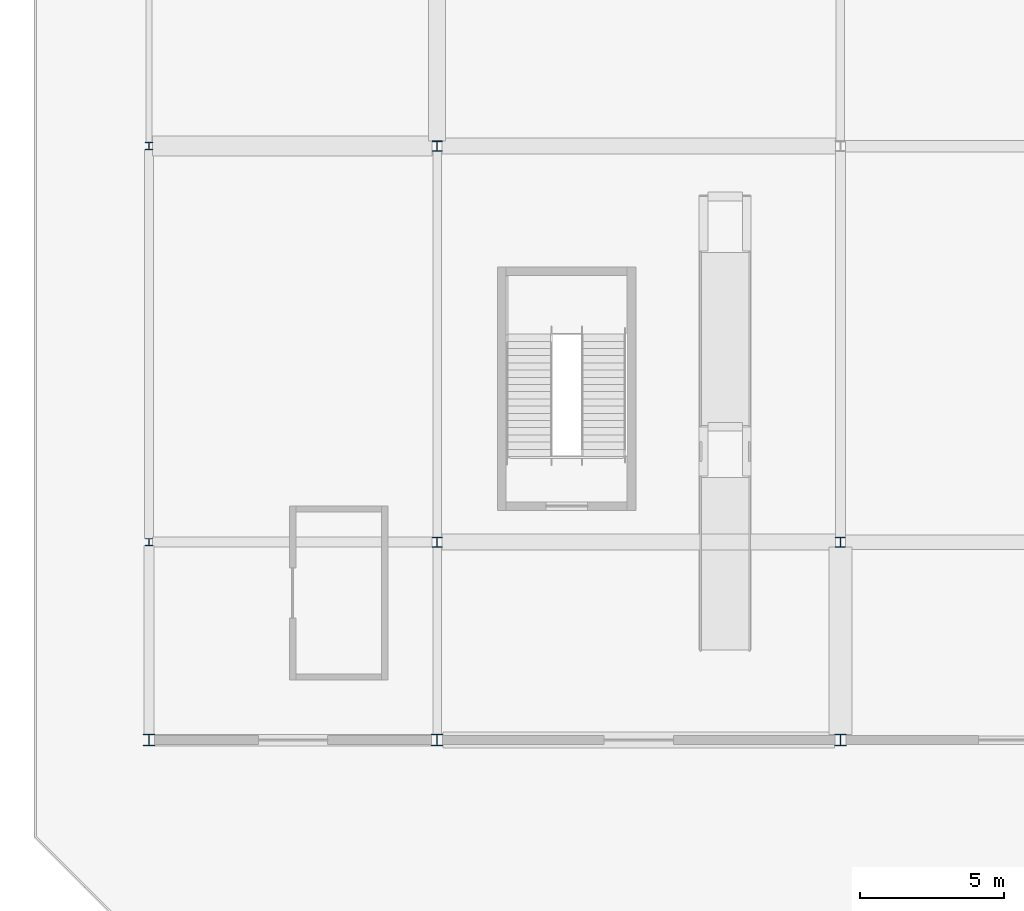
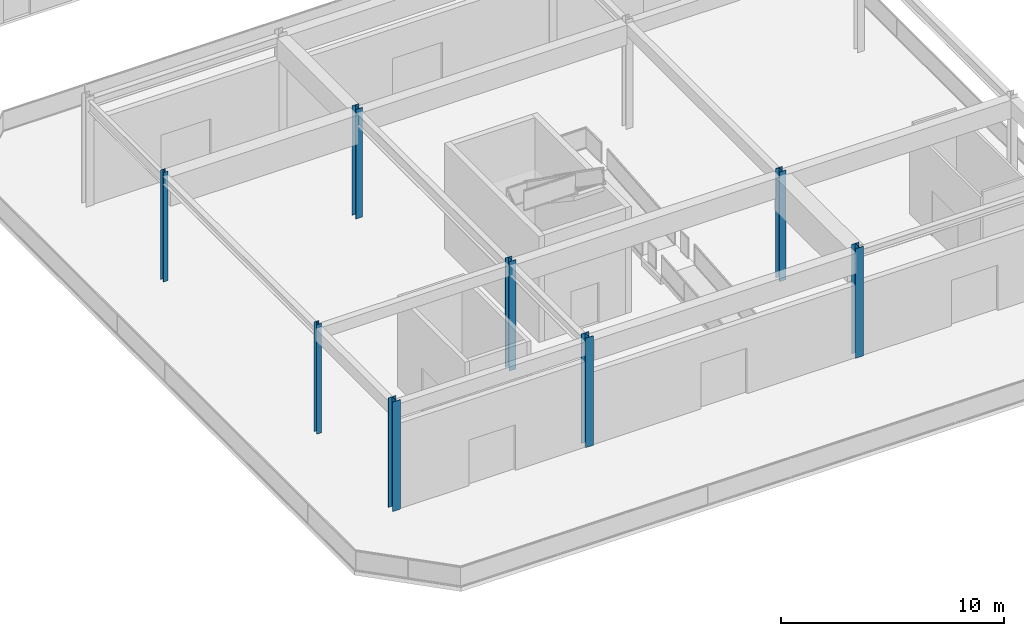
# One storey, part 1 of 73: 8 columns.
"""IFC4 building model written with IfcOpenShell, lengths in metres."""

import ifcopenshell
import ifcopenshell.guid

model = None  # the IFC model being written
_history = None  # IfcOwnerHistory: only IFC2X3 demands one
_inside = {}  # id of a spatial element -> (the spatial element, [elements in it])
_under = {}  # id of a project, library or spatial element -> (it, [spatial elements below it])
_declared = {}  # id of a project -> (the project, [libraries it declares])
_typed = {}  # id of a type object -> (the type object, [elements of that type])
_made_of = {}  # id of a material, layer set ... -> (it, [elements and type objects made of it])


def new_model(schema):
    """Start an empty IFC model of exactly this schema.

    Asked for "IFC4X3", IfcOpenShell would pick the latest addendum, in which some entities
    have other attributes; the version numbers below select the first issue.
    IFC2X3 requires an IfcOwnerHistory on every rooted entity: one is made here for all.
    """
    global model, _history
    if schema == "IFC4X3":
        model = ifcopenshell.file(schema_version=(4, 3, 0, 0))
    else:
        model = ifcopenshell.file(schema=schema)
    _inside.clear()
    _under.clear()
    _declared.clear()
    _typed.clear()
    _made_of.clear()
    _history = None
    if model.schema == "IFC2X3":
        org = make("IfcOrganization", Name="unknown")
        user = make(
            "IfcPersonAndOrganization",
            ThePerson=make("IfcPerson", FamilyName="unknown"),
            TheOrganization=org,
        )
        app = make(
            "IfcApplication",
            ApplicationDeveloper=org,
            Version="unknown",
            ApplicationFullName="unknown",
            ApplicationIdentifier="unknown",
        )
        _history = make(
            "IfcOwnerHistory",
            OwningUser=user,
            OwningApplication=app,
            ChangeAction="ADDED",
            CreationDate=0,
        )
    return model


def make(cls, **values):
    """One entity of the class cls with the attributes given. An attribute that is None is left unset."""
    return model.create_entity(
        cls, **{name: value for name, value in values.items() if value is not None}
    )


def rooted(cls, **values):
    """An entity with a GlobalId (a new one), such as an element, a storey or a relation."""
    return make(cls, GlobalId=ifcopenshell.guid.new(), OwnerHistory=_history, **values)


def si_unit(unit_type, name, prefix=None):
    """IfcSIUnit, for example si_unit("LENGTHUNIT", "METRE", prefix="MILLI")."""
    return make("IfcSIUnit", UnitType=unit_type, Prefix=prefix, Name=name)


def assignment(units):
    """IfcUnitAssignment: the units of a project."""
    return None if units is None else make("IfcUnitAssignment", Units=units)


def point(xyz):
    """IfcCartesianPoint."""
    return None if xyz is None else make("IfcCartesianPoint", Coordinates=xyz)


def direction(xyz):
    """IfcDirection."""
    return None if xyz is None else make("IfcDirection", DirectionRatios=xyz)


def frame(location, z_axis=None, x_axis=None):
    """IfcAxis2Placement3D, a coordinate frame: its origin and axes. An axis left out is left unset."""
    return make(
        "IfcAxis2Placement3D",
        Location=point(location),
        Axis=direction(z_axis),
        RefDirection=direction(x_axis),
    )


def frame_2d(location, x_axis=None):
    """IfcAxis2Placement2D, a coordinate frame in the plane: its origin and x axis."""
    return make(
        "IfcAxis2Placement2D", Location=point(location), RefDirection=direction(x_axis)
    )


def origin():
    """The frame at (0, 0, 0) with its axes left unset."""
    return frame((0.0, 0.0, 0.0))


def origin_2d():
    """The frame at (0, 0) in the plane with its x axis left unset."""
    return frame_2d((0.0, 0.0))


def place(relative_to, where):
    """IfcLocalPlacement: puts the frame where relative to a parent placement (None: the world)."""
    return make(
        "IfcLocalPlacement", PlacementRelTo=relative_to, RelativePlacement=where
    )


def context(
    kind, dimensions, precision=None, world=None, true_north=None, identifier=None
):
    """IfcGeometricRepresentationContext, for example the 3D "Model" context."""
    return make(
        "IfcGeometricRepresentationContext",
        ContextIdentifier=identifier,
        ContextType=kind,
        CoordinateSpaceDimension=dimensions,
        Precision=precision,
        WorldCoordinateSystem=world,
        TrueNorth=true_north,
    )


def subcontext(parent, identifier, kind, view, scale=None):
    """IfcGeometricRepresentationSubContext, for example "Body" below "Model"."""
    return make(
        "IfcGeometricRepresentationSubContext",
        ContextIdentifier=identifier,
        ContextType=kind,
        ParentContext=parent,
        TargetScale=scale,
        TargetView=view,
    )


def project(units=None, contexts=None):
    """IfcProject with its units and contexts."""
    return rooted(
        "IfcProject",
        Name="project",
        RepresentationContexts=contexts,
        UnitsInContext=assignment(units),
    )


def spatial(cls, under=None, at=None, **own):
    """A site, building, storey or space (cls), placed at a placement, below another one or the project."""
    s = rooted(cls, ObjectPlacement=at, **own)
    if under is not None:
        _under.setdefault(under.id(), (under, []))[1].append(s)
    return s


def profile(cls, at=None, kind="AREA", **sizes):
    """A parametric profile (cls). Its sizes go by their IFC names, for example OverallWidth=200.0."""
    return make(cls, ProfileType=kind, Position=at, **sizes)


def i_section(**sizes):
    """IfcIShapeProfileDef."""
    return profile("IfcIShapeProfileDef", **sizes)


def extrude(swept, where, along, depth):
    """IfcExtrudedAreaSolid: the profile swept, set in the frame where, extruded along a direction by depth."""
    return make(
        "IfcExtrudedAreaSolid",
        SweptArea=swept,
        Position=where,
        ExtrudedDirection=direction(along),
        Depth=depth,
    )


def shape(context_of_items, identifier, shape_type, items):
    """IfcShapeRepresentation: the items that make up one representation, for example the "Body"."""
    return make(
        "IfcShapeRepresentation",
        ContextOfItems=context_of_items,
        RepresentationIdentifier=identifier,
        RepresentationType=shape_type,
        Items=items,
    )


def material(Name=None, Category=None):
    """IfcMaterial."""
    return make("IfcMaterial", Name=Name, Category=Category)


def material_profile(
    of_material, cross_section, Name=None, Category=None, Priority=None
):
    """IfcMaterialProfile: a cross section and its material."""
    return make(
        "IfcMaterialProfile",
        Name=Name,
        Material=of_material,
        Profile=cross_section,
        Priority=Priority,
        Category=Category,
    )


def profile_set(profiles, Name=None, composite=None):
    """IfcMaterialProfileSet."""
    return make(
        "IfcMaterialProfileSet",
        Name=Name,
        MaterialProfiles=profiles,
        CompositeProfile=composite,
    )


def made_of(thing, what):
    """Note that an element or type object is made of a material, layer set ...; save() writes the relation."""
    if what is not None:
        _made_of.setdefault(what.id(), (what, []))[1].append(thing)
    return thing


def type_object(cls, material=None, **own):
    """A type object (cls), such as IfcWallType, which elements share."""
    return made_of(rooted(cls, **own), material)


def element(
    cls,
    number,
    at=None,
    inside=None,
    cuts=None,
    type_object=None,
    material=None,
    context=None,
    identifier="Body",
    shape_type=None,
    held_by="IfcProductDefinitionShape",
    body=None,
    shapes=None,
    **own,
):
    """One element of the class cls, such as IfcWall. Its Tag is "e" and its number.

    at: its placement. inside: the storey or other place that contains it. cuts: it is an
    opening in that element (IfcRelVoidsElement). A single representation is given by context,
    identifier, shape_type and body (its items); several are given by shapes. held_by: the class
    of the entity that holds the representations. save() writes the other relations.
    """
    e = rooted(cls, Tag="e%d" % number, ObjectPlacement=at, **own)
    if body is not None:
        shapes = [shape(context, identifier, shape_type, body)]
    if shapes is not None:
        e.Representation = make(held_by, Representations=shapes)
    if inside is not None:
        _inside.setdefault(inside.id(), (inside, []))[1].append(e)
    if cuts is not None:
        rooted(
            "IfcRelVoidsElement", RelatingBuildingElement=cuts, RelatedOpeningElement=e
        )
    if type_object is not None:
        _typed.setdefault(type_object.id(), (type_object, []))[1].append(e)
    return made_of(e, material)


def aggregate(whole, parts):
    """IfcRelAggregates: a whole, such as a stair, and the parts it consists of."""
    return rooted("IfcRelAggregates", RelatingObject=whole, RelatedObjects=parts)


def save(model, path):
    """Write the relations noted so far, then the file.

    IfcRelAggregates (storeys below a building ...), IfcRelContainedInSpatialStructure (elements
    in a storey), IfcRelDefinesByType, IfcRelAssociatesMaterial and IfcRelDeclares: one each for
    every whole, place, type object, material and project.
    """
    for whole, parts in _under.values():
        aggregate(whole, parts)
    for where, things in _inside.values():
        rooted(
            "IfcRelContainedInSpatialStructure",
            RelatedElements=things,
            RelatingStructure=where,
        )
    for kind, things in _typed.values():
        rooted("IfcRelDefinesByType", RelatedObjects=things, RelatingType=kind)
    for what, things in _made_of.values():
        rooted("IfcRelAssociatesMaterial", RelatedObjects=things, RelatingMaterial=what)
    for by, libraries in _declared.values():
        rooted("IfcRelDeclares", RelatingContext=by, RelatedDefinitions=libraries)
    model.write(path)


model = new_model("IFC4")

# Units and contexts
model_context = context("Model", 3, precision=1e-05, world=origin(), true_north=direction((0.0, 1.0)))
body_context = subcontext(model_context, "Body", "Model", "MODEL_VIEW")
ifc_project = project(units=[si_unit("LENGTHUNIT", "METRE"), si_unit("AREAUNIT", "SQUARE_METRE"), si_unit("VOLUMEUNIT", "CUBIC_METRE"), si_unit("PLANEANGLEUNIT", "RADIAN"), si_unit("MASSUNIT", "GRAM", prefix="KILO")], contexts=[model_context])

# Site, building, storey
site_placement = place(None, origin())
site = spatial("IfcSite", under=ifc_project, at=site_placement, CompositionType="ELEMENT")
building_placement = place(site_placement, origin())
building = spatial("IfcBuilding", under=site, at=building_placement, Name="Linyun Crest Stadium", CompositionType="ELEMENT")
storey_placement = place(building_placement, origin())
storey = spatial("IfcBuildingStorey", under=building, at=storey_placement, Name="L01", CompositionType="ELEMENT", Elevation=0.0)

# Columns
ifc_material_1 = material(Name="Steel Q355C", Category="steel")
ifc_material_profile_1 = material_profile(ifc_material_1, i_section(OverallWidth=0.35009765625, OverallDepth=0.35009765625, WebThickness=0.011962890625, FlangeThickness=0.01904296875, at=origin_2d()), Name="HW 350x350")
ifc_profile_set_1 = profile_set([ifc_material_profile_1], Name="Steel Q355C")
column_type_1 = type_object("IfcColumnType", Name="SC01", PredefinedType="COLUMN", material=ifc_profile_set_1)
for number, where, z_axis, x_axis, name in (
    (1, (-84.0, -87.25, 0.0), (0.0, 0.0, 1.0), (1.0, 0.0, 0.0), "Column SC01 L01 866"),
    (2, (-84.0, -73.5, 0.0), (0.0, 0.0, 1.0), (1.0, 0.0, 0.0), "Column SC01 L01 869"),
    (3, (-70.0, -87.25, 0.0), (0.0, 0.0, 1.0), (1.0, 0.0, 0.0), "Column SC01 L01 878"),
):
    element("IfcColumn", number, at=place(storey_placement, frame(where, z_axis=z_axis, x_axis=x_axis)), inside=storey, type_object=column_type_1, Name=name, PredefinedType="COLUMN", context=body_context, shape_type="SweptSolid", body=[
        extrude(i_section(OverallWidth=0.35009765625, OverallDepth=0.35009765625, WebThickness=0.011962890625, FlangeThickness=0.01904296875, at=origin_2d()), origin(), (0.0, 0.0, 1.0), 5.998046875),
    ])
ifc_material_2 = material(Name="Steel Q355C", Category="steel")
ifc_material_profile_2 = material_profile(ifc_material_2, i_section(OverallWidth=0.39990234375, OverallDepth=0.39990234375, WebThickness=0.012939453125, FlangeThickness=0.02099609375, at=origin_2d()), Name="HW 400x400")
ifc_profile_set_2 = profile_set([ifc_material_profile_2], Name="Steel Q355C")
column_type_2 = type_object("IfcColumnType", Name="SC02", PredefinedType="COLUMN", material=ifc_profile_set_2)
for number, where, z_axis, x_axis, name in (
    (4, (-94.0, -94.125, 0.0), (0.0, 0.0, 1.0), (1.0, 0.0, 0.0), "Column SC02 L01 851"),
    (5, (-84.0, -94.125, 0.0), (0.0, 0.0, 1.0), (1.0, 0.0, 0.0), "Column SC02 L01 863"),
    (6, (-70.0, -94.125, 0.0), (0.0, 0.0, 1.0), (1.0, 0.0, 0.0), "Column SC02 L01 875"),
):
    element("IfcColumn", number, at=place(storey_placement, frame(where, z_axis=z_axis, x_axis=x_axis)), inside=storey, type_object=column_type_2, Name=name, PredefinedType="COLUMN", context=body_context, shape_type="SweptSolid", body=[
        extrude(i_section(OverallWidth=0.39990234375, OverallDepth=0.39990234375, WebThickness=0.012939453125, FlangeThickness=0.02099609375, at=origin_2d()), origin(), (0.0, 0.0, 1.0), 5.998046875),
    ])
ifc_material_3 = material(Name="Steel Q355C", Category="steel")
ifc_material_profile_3 = material_profile(ifc_material_3, i_section(OverallWidth=0.25, OverallDepth=0.25, WebThickness=0.009033203125, FlangeThickness=0.013916015625, at=origin_2d()), Name="HW 250x250")
ifc_profile_set_3 = profile_set([ifc_material_profile_3], Name="Steel Q355C")
column_type_3 = type_object("IfcColumnType", Name="SC07", PredefinedType="COLUMN", material=ifc_profile_set_3)
for number, where, z_axis, x_axis, name in (
    (7, (-94.0, -87.25, 0.0), (0.0, 0.0, 1.0), (1.0, 0.0, 0.0), "Column SC07 L01 854"),
    (8, (-94.0, -73.5, 0.0), (0.0, 0.0, 1.0), (1.0, 0.0, 0.0), "Column SC07 L01 857"),
):
    element("IfcColumn", number, at=place(storey_placement, frame(where, z_axis=z_axis, x_axis=x_axis)), inside=storey, type_object=column_type_3, Name=name, PredefinedType="COLUMN", context=body_context, shape_type="SweptSolid", body=[
        extrude(i_section(OverallWidth=0.25, OverallDepth=0.25, WebThickness=0.009033203125, FlangeThickness=0.013916015625, at=origin_2d()), origin(), (0.0, 0.0, 1.0), 5.998046875),
    ])

save(model, "model.ifc")
